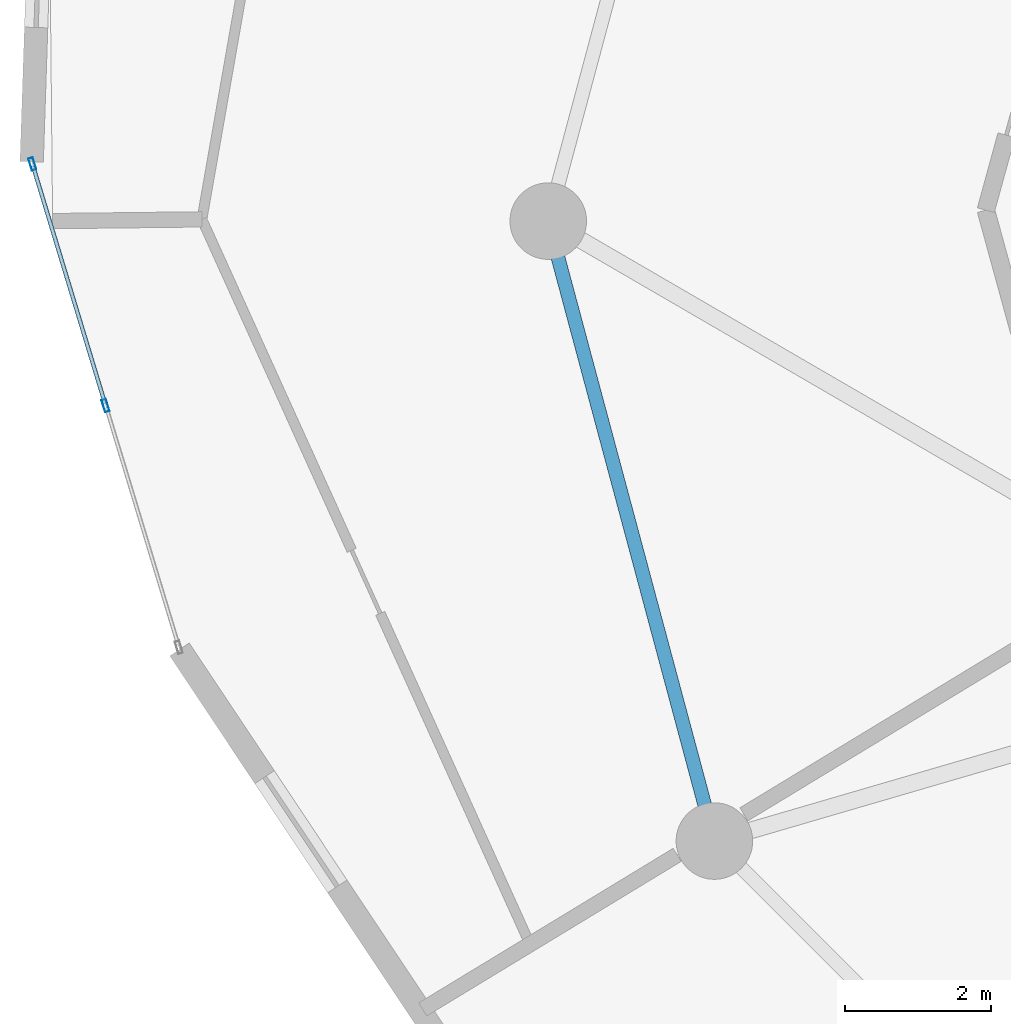
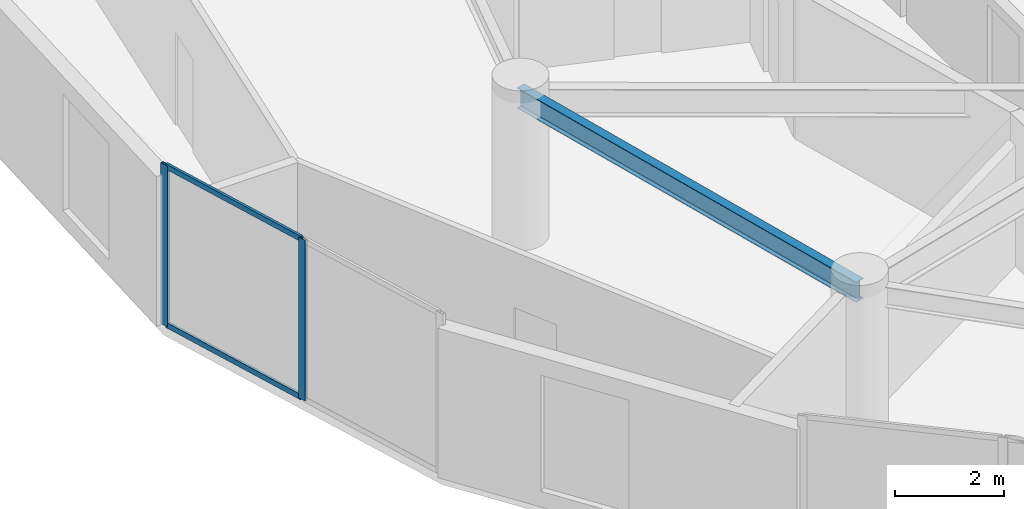
# One storey, part 6 of 26: 4 members, 1 beam, 1 element without a shape of its own.
"""IFC4 building model written with IfcOpenShell, lengths in metres."""

from ifc_helpers import new_model, si_unit, direction, frame, origin, origin_2d, place, context, subcontext, project, spatial, hollow_rectangle, i_section, extrude, source, transform, mapped, material, layer, layer_set, material_profile, profile_set, type_object, element, aggregate, save


model = new_model("IFC4")

# Units and contexts
model_context = context("Model", 3, precision=1e-05, world=origin(), true_north=direction((0.0, 1.0)))
body_context = subcontext(model_context, "Body", "Model", "MODEL_VIEW")
ifc_project = project(units=[si_unit("LENGTHUNIT", "METRE"), si_unit("AREAUNIT", "SQUARE_METRE"), si_unit("VOLUMEUNIT", "CUBIC_METRE"), si_unit("PLANEANGLEUNIT", "RADIAN"), si_unit("MASSUNIT", "GRAM", prefix="KILO")], contexts=[model_context])

# Site, building, storey
site_placement = place(None, origin())
site = spatial("IfcSite", under=ifc_project, at=site_placement, CompositionType="ELEMENT")
building_placement = place(site_placement, origin())
building = spatial("IfcBuilding", under=site, at=building_placement, Name="Solvirekh Grand Hotel", CompositionType="ELEMENT")
storey_placement = place(building_placement, frame((0.0, 0.0, 113.39990234375)))
storey = spatial("IfcBuildingStorey", under=building, at=storey_placement, Name="L28", CompositionType="ELEMENT", Elevation=113.39990234375)

# Beam
ifc_material_1 = material(Name="Steel S355", Category="steel")
ifc_material_profile_1 = material_profile(ifc_material_1, i_section(OverallWidth=0.18994140625, OverallDepth=0.45703125, WebThickness=0.009033203125, FlangeThickness=0.013916015625, FilletRadius=0.012939453125, at=origin_2d()), Name="W460X74")
ifc_profile_set_1 = profile_set([ifc_material_profile_1], Name="Steel S355")
beam_type = type_object("IfcBeamType", Name="Spandrel_Ring_W460", PredefinedType="SPANDREL", material=ifc_profile_set_1)
beam_placement = place(storey_placement, frame((-17.0, 0.0, 3.1220703125), z_axis=(0.258872908946, -0.965911391906, 0.0), x_axis=(0.965911391906, 0.258872908946, 0.0)))
element("IfcBeam", 1, at=beam_placement, inside=storey, type_object=beam_type, Name="L28 perimeter spandrel beam 7", PredefinedType="SPANDREL", context=body_context, shape_type="SweptSolid", body=[
    extrude(i_section(OverallWidth=0.18994140625, OverallDepth=0.45703125, WebThickness=0.009033203125, FlangeThickness=0.013916015625, FilletRadius=0.012939453125, at=origin_2d()), origin(), (0.0, 0.0, 1.0), 8.800048828125),
])

# Curtain wall, members
ifc_material_2 = material(Name="Anodized Bronze Aluminium 6063-T6", Category="aluminium")
ifc_layer = layer(ifc_material_2, 0.175048828125)
ifc_layer_set = layer_set([ifc_layer], Name="Anodized Bronze Aluminium 6063-T6")
curtain_wall_type = type_object("IfcCurtainWallType", Name="CW_Sys3_MidZoneFlushBronzeCW", PredefinedType="NOTDEFINED", material=ifc_layer_set)
curtain_wall_placement = place(storey_placement, origin())
curtain_wall = element("IfcCurtainWall", 2, at=curtain_wall_placement, inside=storey, type_object=curtain_wall_type, Name="L28 unitised bronze-glass curtain wall CW-L28-C13", PredefinedType="NOTDEFINED")
ifc_material_profile_2 = material_profile(ifc_material_2, hollow_rectangle(XDim=0.06494140625, YDim=0.175048828125, WallThickness=0.0048828125, at=origin_2d()), Name="ALU RHS 175X65X5")
ifc_profile_set_2 = profile_set([ifc_material_profile_2], Name="Anodized Bronze Aluminium 6063-T6")
member_type_1 = type_object("IfcMemberType", Name="CWMullion_Sys3", PredefinedType="MULLION", material=ifc_profile_set_2)
shared_shape_1 = source(origin(), body_context, "Body", "SweptSolid", [
    extrude(hollow_rectangle(XDim=0.06494140625, YDim=0.175048828125, WallThickness=0.0048828125, at=origin_2d()), origin(), (0.0, 0.0, 1.0), 3.60009765625),
])
member_1_placement = place(storey_placement, frame((-24.073486328125, 0.783935546875, 0.0), z_axis=(0.0, 0.0, 1.0), x_axis=(0.957023201108, 0.290011366226, 0.0)))
member_1 = element("IfcMember", 3, at=member_1_placement, type_object=member_type_1, Name="U03 mullion 1", PredefinedType="MULLION", context=body_context, shape_type="MappedRepresentation", body=[
    mapped(shared_shape_1, transform((0.0, 0.0, 0.0), x_axis=(1.0, 0.0, 0.0), y_axis=(0.0, 1.0, 0.0), z_axis=(0.0, 0.0, 1.0), scale=1.0)),
])
member_2_placement = place(storey_placement, frame((-23.069580078125, -2.529541015625, 0.0), z_axis=(0.0, 0.0, 1.0), x_axis=(0.957023201108, 0.290011366226, 0.0)))
member_2 = element("IfcMember", 4, at=member_2_placement, type_object=member_type_1, Name="U03 mullion 2", PredefinedType="MULLION", context=body_context, shape_type="MappedRepresentation", body=[
    mapped(shared_shape_1, transform((0.0, 0.0, 0.0), x_axis=(1.0, 0.0, 0.0), y_axis=(0.0, 1.0, 0.0), z_axis=(0.0, 0.0, 1.0), scale=1.0)),
])
ifc_material_profile_3 = material_profile(ifc_material_2, hollow_rectangle(XDim=0.054931640625, YDim=0.1201171875, WallThickness=0.00390625, at=origin_2d()), Name="ALU RHS 120X55X4")
ifc_profile_set_3 = profile_set([ifc_material_profile_3], Name="Anodized Bronze Aluminium 6063-T6")
member_type_2 = type_object("IfcMemberType", Name="CWTransom_Sys3", PredefinedType="USERDEFINED", material=ifc_profile_set_3)
shared_shape_2 = source(origin(), body_context, "Body", "SweptSolid", [
    extrude(hollow_rectangle(XDim=0.054931640625, YDim=0.1201171875, WallThickness=0.00390625, at=origin_2d()), origin(), (0.0, 0.0, 1.0), 3.39697265625),
])
member_3_placement = place(storey_placement, frame((-24.064208984375, 0.752685546875, 0.027587890625), z_axis=(0.29006324588, -0.957007478231, 0.0), x_axis=(0.957007478231, 0.29006324588, 0.0)))
member_3 = element("IfcMember", 5, at=member_3_placement, type_object=member_type_2, Name="U03 transom 1.1", ObjectType="TRANSOM", PredefinedType="USERDEFINED", context=body_context, shape_type="MappedRepresentation", body=[
    mapped(shared_shape_2, transform((0.0, 0.0, 0.0), x_axis=(1.0, 0.0, 0.0), y_axis=(0.0, 1.0, 0.0), z_axis=(0.0, 0.0, 1.0), scale=1.0)),
])
member_4_placement = place(storey_placement, frame((-24.064208984375, 0.752685546875, 3.572509765625), z_axis=(0.29006324588, -0.957007478231, 0.0), x_axis=(0.957007478231, 0.29006324588, 0.0)))
member_4 = element("IfcMember", 6, at=member_4_placement, type_object=member_type_2, Name="U03 transom 1.2", ObjectType="TRANSOM", PredefinedType="USERDEFINED", context=body_context, shape_type="MappedRepresentation", body=[
    mapped(shared_shape_2, transform((0.0, 0.0, 0.0), x_axis=(1.0, 0.0, 0.0), y_axis=(0.0, 1.0, 0.0), z_axis=(0.0, 0.0, 1.0), scale=1.0)),
])
aggregate(curtain_wall, [member_1, member_2, member_3, member_4])

save(model, "model.ifc")
